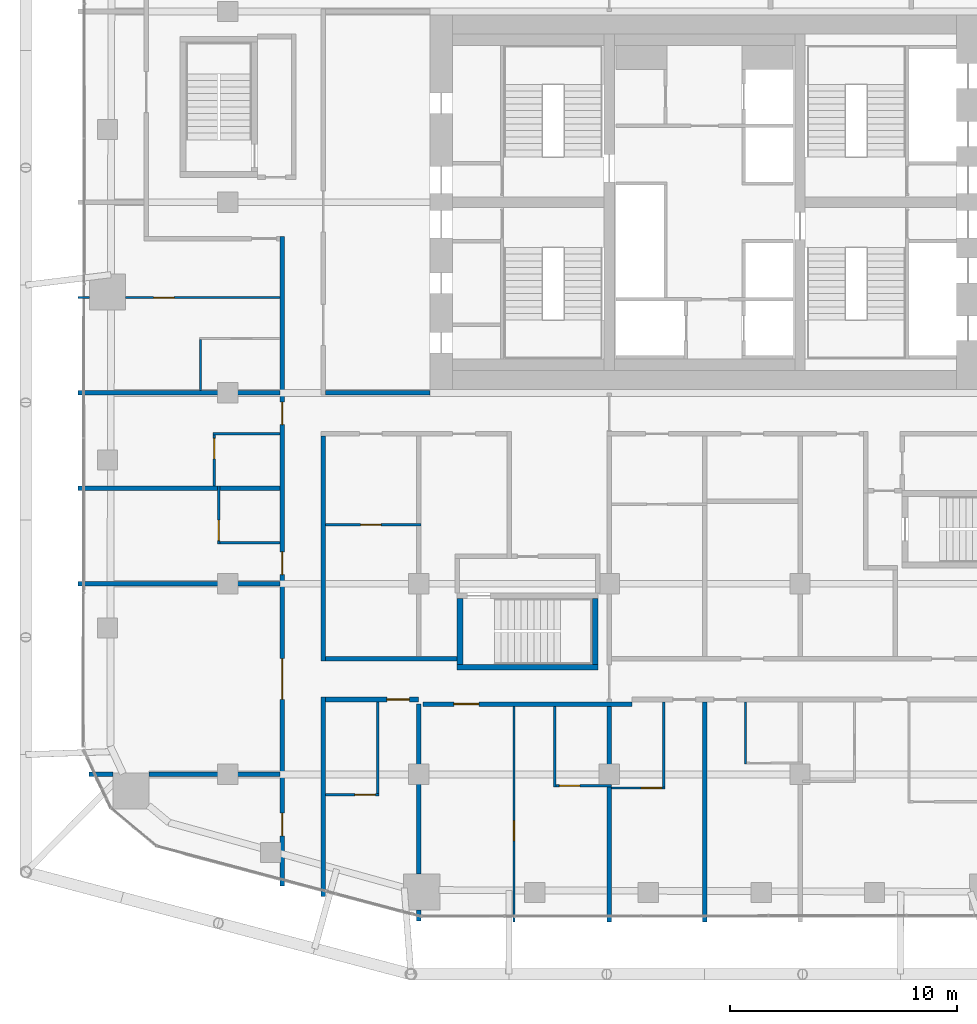
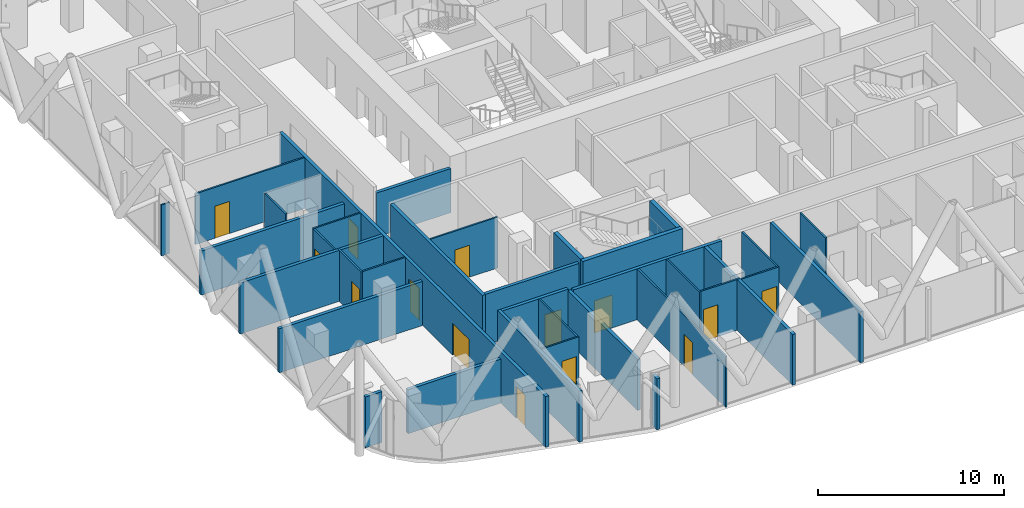
# One storey, part 27 of 36: 35 walls, 14 doors, 14 openings.
"""IFC4 building model written with IfcOpenShell, lengths in metres."""

from ifc_helpers import new_model, si_unit, direction, frame, frame_2d, origin, place, context, subcontext, project, spatial, rectangle, extrude, material, layer, layer_set, type_object, element, fill, save


model = new_model("IFC4")

# Units and contexts
model_context = context("Model", 3, precision=1e-05, world=origin(), true_north=direction((0.0, 1.0)))
body_context = subcontext(model_context, "Body", "Model", "MODEL_VIEW")
ifc_project = project(units=[si_unit("LENGTHUNIT", "METRE"), si_unit("AREAUNIT", "SQUARE_METRE"), si_unit("VOLUMEUNIT", "CUBIC_METRE"), si_unit("PLANEANGLEUNIT", "RADIAN"), si_unit("MASSUNIT", "GRAM", prefix="KILO")], contexts=[model_context])

# Site, building, storey
site_placement = place(None, origin())
site = spatial("IfcSite", under=ifc_project, at=site_placement, CompositionType="ELEMENT")
building_placement = place(site_placement, origin())
building = spatial("IfcBuilding", under=site, at=building_placement, Name="Marenta Gate Hotel Tower", CompositionType="ELEMENT")
storey_placement = place(building_placement, frame((0.0, 0.0, 158.89990234375)))
storey = spatial("IfcBuildingStorey", under=building, at=storey_placement, Name="L37", CompositionType="ELEMENT", Elevation=158.89990234375)

# Walls
ifc_material_1 = material(Name="Concrete blockwork", Category="masonry")
ifc_layer_1 = layer(ifc_material_1, 0.199951171875)
ifc_layer_set_1 = layer_set([ifc_layer_1], Name="Concrete blockwork")
wall_type_1 = type_object("IfcWallType", Name="Compartment wall 200 REI 180", PredefinedType="PARTITIONING", material=ifc_layer_set_1)
wall_1_placement = place(storey_placement, frame((-4.199951171875, -23.300048828125, 0.0), z_axis=(0.0, 0.0, 1.0), x_axis=(0.0, 1.0, 0.0)))
element("IfcWall", 1, at=wall_1_placement, inside=storey, type_object=wall_type_1, Name="L37-PTN-W072", PredefinedType="PARTITIONING", context=body_context, shape_type="SweptSolid", body=[
    extrude(rectangle(XDim=9.5, YDim=0.199951171875, at=frame_2d((4.75, 0.0))), origin(), (0.0, 0.0, 1.0), 3.340087890625),
])
ifc_material_2 = material(Name="Concrete blockwork", Category="masonry")
ifc_layer_2 = layer(ifc_material_2, 0.199951171875)
ifc_layer_set_2 = layer_set([ifc_layer_2], Name="Concrete blockwork")
wall_type_2 = type_object("IfcWallType", Name="Core boundary wall 200 REI 180", PredefinedType="PARTITIONING", material=ifc_layer_set_2)
wall_2_placement = place(storey_placement, frame((-16.699951171875, 0.0, 0.0), z_axis=(0.0, 0.0, 1.0), x_axis=(1.0, 0.0, 0.0)))
element("IfcWall", 2, at=wall_2_placement, inside=storey, type_object=wall_type_2, Name="L37-CP-EW-WS", PredefinedType="PARTITIONING", context=body_context, shape_type="SweptSolid", body=[
    extrude(rectangle(XDim=4.599853515625, YDim=0.199951171875, at=frame_2d((2.2998046875, 0.0))), origin(), (0.0, 0.0, 1.0), 2.89013671875),
])
ifc_material_3 = material(Name="Concrete C40", Category="concrete")
ifc_layer_3 = layer(ifc_material_3, 0.25)
ifc_layer_set_3 = layer_set([ifc_layer_3], Name="Concrete C40")
wall_type_3 = type_object("IfcWallType", Name="Remote stair enclosure wall 250 REI 180", PredefinedType="SHEAR", material=ifc_layer_set_3)
wall_3_placement = place(storey_placement, frame((-10.89990234375, -12.074951171875, 0.10009765625), z_axis=(0.0, 0.0, 1.0), x_axis=(1.0, 0.0, 0.0)))
element("IfcWall", 3, at=wall_3_placement, inside=storey, type_object=wall_type_3, Name="L37-RS-Z2-1-W1", PredefinedType="SHEAR", context=body_context, shape_type="SweptSolid", body=[
    extrude(rectangle(XDim=6.199951171875, YDim=0.25, at=frame_2d((3.10009765625, 0.0))), origin(), (0.0, 0.0, 1.0), 3.60009765625),
])
for number, where, z_axis, x_axis, name in (
    (4, (-10.77490234375, -11.949951171875, 0.10009765625), (0.0, 0.0, 1.0), (0.0, 1.0, 0.0), "L37-RS-Z2-1-W3"),
    (5, (-4.824951171875, -11.949951171875, 0.10009765625), (0.0, 0.0, 1.0), (0.0, 1.0, 0.0), "L37-RS-Z2-1-W4"),
):
    element("IfcWall", number, at=place(storey_placement, frame(where, z_axis=z_axis, x_axis=x_axis)), inside=storey, type_object=wall_type_3, Name=name, PredefinedType="SHEAR", context=body_context, shape_type="SweptSolid", body=[
        extrude(rectangle(XDim=2.89990234375, YDim=0.25, at=frame_2d((1.449951171875, 0.0))), origin(), (0.0, 0.0, 1.0), 3.60009765625),
    ])

# Wall, opening, door
ifc_material_4 = material(Name="Gypsum board on steel stud", Category="steel")
ifc_layer_4 = layer(ifc_material_4, 0.199951171875)
ifc_layer_set_4 = layer_set([ifc_layer_4], Name="Gypsum board on steel stud")
wall_type_4 = type_object("IfcWallType", Name="Room corridor wall 200 EI 60", PredefinedType="PARTITIONING", material=ifc_layer_set_4)
wall_4_placement = place(storey_placement, frame((-12.39990234375, -13.699951171875, 0.0), z_axis=(0.0, 0.0, 1.0), x_axis=(1.0, 0.0, 0.0)))
wall_4 = element("IfcWall", 6, at=wall_4_placement, inside=storey, type_object=wall_type_4, Name="L37-PTN-W025", PredefinedType="PARTITIONING", context=body_context, shape_type="SweptSolid", body=[
    extrude(rectangle(XDim=9.199951171875, YDim=0.199951171875, at=frame_2d((4.60009765625, 0.0))), origin(), (0.0, 0.0, 1.0), 3.340087890625),
])
opening_1_placement = place(wall_4_placement, frame((1.35009765625, 0.0, 0.0)))
opening_1 = element("IfcOpeningElement", 7, at=opening_1_placement, cuts=wall_4, Name="Opening G14-32", PredefinedType="OPENING", context=body_context, shape_type="SweptSolid", body=[
    extrude(rectangle(XDim=1.10009765625, YDim=2.10009765625, at=frame_2d((0.550048828125, 1.050048828125))), frame((0.0, 0.10009765625, 0.0), z_axis=(0.0, -1.0, 0.0), x_axis=(1.0, 0.0, 0.0)), (0.0, 0.0, 1.0), 0.199951171875),
])
ifc_material_5 = material(Name="Timber door leaf", Category="wood")
door_type_1 = type_object("IfcDoorType", Name="Guest room door 1100x2100 EI 30", OperationType="NOTDEFINED", PredefinedType="DOOR", material=ifc_material_5)
door_1_placement = place(opening_1_placement, origin())
door_1 = element("IfcDoor", 8, at=door_1_placement, inside=storey, type_object=door_type_1, Name="L37-PD-D032", OperationType="SINGLE_SWING_RIGHT", OverallHeight=2.10009765625, OverallWidth=1.10009765625, PredefinedType="DOOR", context=body_context, shape_type="SweptSolid", body=[
    extrude(rectangle(XDim=1.10009765625, YDim=2.10009765625, at=frame_2d((0.550048828125, 1.050048828125))), frame((0.0, 0.02490234375, 0.0), z_axis=(0.0, -1.0, 0.0), x_axis=(1.0, 0.0, 0.0)), (0.0, 0.0, 1.0), 0.050048828125),
])
fill(opening_1, door_1)

wall_5_placement = place(storey_placement, frame((-16.699951171875, -13.5, 0.0), z_axis=(0.0, 0.0, 1.0), x_axis=(1.0, 0.0, 0.0)))
wall_5 = element("IfcWall", 9, at=wall_5_placement, inside=storey, type_object=wall_type_4, Name="L37-PTN-W026", PredefinedType="PARTITIONING", context=body_context, shape_type="SweptSolid", body=[
    extrude(rectangle(XDim=4.099853515625, YDim=0.199951171875, at=frame_2d((2.0498046875, 0.0))), origin(), (0.0, 0.0, 1.0), 3.340087890625),
])
opening_2_placement = place(wall_5_placement, frame((2.699951171875, 0.0, 0.0)))
opening_2 = element("IfcOpeningElement", 10, at=opening_2_placement, cuts=wall_5, Name="Opening G14-30", PredefinedType="OPENING", context=body_context, shape_type="SweptSolid", body=[
    extrude(rectangle(XDim=1.0, YDim=2.10009765625, at=frame_2d((0.5, 1.050048828125))), frame((0.0, 0.10009765625, 0.0), z_axis=(0.0, -1.0, 0.0), x_axis=(1.0, 0.0, 0.0)), (0.0, 0.0, 1.0), 0.199951171875),
])
ifc_material_6 = material(Name="Timber door leaf", Category="wood")
door_type_2 = type_object("IfcDoorType", Name="Guest room door 1000x2100 EI 30", OperationType="NOTDEFINED", PredefinedType="DOOR", material=ifc_material_6)
door_2_placement = place(opening_2_placement, origin())
door_2 = element("IfcDoor", 11, at=door_2_placement, inside=storey, type_object=door_type_2, Name="L37-PD-D030", OperationType="SINGLE_SWING_RIGHT", OverallHeight=2.10009765625, OverallWidth=1.0, PredefinedType="DOOR", context=body_context, shape_type="SweptSolid", body=[
    extrude(rectangle(XDim=1.0, YDim=2.10009765625, at=frame_2d((0.5, 1.050048828125))), frame((0.0, 0.02490234375, 0.0), z_axis=(0.0, -1.0, 0.0), x_axis=(1.0, 0.0, 0.0)), (0.0, 0.0, 1.0), 0.050048828125),
])
fill(opening_2, door_2)

# Walls
wall_6_placement = place(storey_placement, frame((-16.699951171875, -11.699951171875, 0.0), z_axis=(0.0, 0.0, 1.0), x_axis=(1.0, 0.0, 0.0)))
element("IfcWall", 12, at=wall_6_placement, inside=storey, type_object=wall_type_4, Name="L37-PTN-W033", PredefinedType="PARTITIONING", context=body_context, shape_type="SweptSolid", body=[
    extrude(rectangle(XDim=5.800048828125, YDim=0.199951171875, at=frame_2d((2.89990234375, 0.0))), origin(), (0.0, 0.0, 1.0), 3.340087890625),
])
wall_7_placement = place(storey_placement, frame((-16.800048828125, -22.18603515625, 0.0), z_axis=(0.0, 0.0, 1.0), x_axis=(0.0, 1.0, 0.0)))
element("IfcWall", 13, at=wall_7_placement, inside=storey, type_object=wall_type_4, Name="L37-PTN-W096", PredefinedType="PARTITIONING", context=body_context, shape_type="SweptSolid", body=[
    extrude(rectangle(XDim=8.7861328125, YDim=0.199951171875, at=frame_2d((4.39306640625, 0.0))), origin(), (0.0, 0.0, 1.0), 3.340087890625),
])
wall_8_placement = place(storey_placement, frame((-16.800048828125, -11.800048828125, 0.0), z_axis=(0.0, 0.0, 1.0), x_axis=(0.0, 1.0, 0.0)))
element("IfcWall", 14, at=wall_8_placement, inside=storey, type_object=wall_type_4, Name="L37-PTN-W097", PredefinedType="PARTITIONING", context=body_context, shape_type="SweptSolid", body=[
    extrude(rectangle(XDim=9.900146484375, YDim=0.199951171875, at=frame_2d((4.9501953125, 0.0))), origin(), (0.0, 0.0, 1.0), 3.340087890625),
])

# Wall, openings, doors
wall_9_placement = place(storey_placement, frame((-18.60009765625, -21.7080078125, 0.0), z_axis=(0.0, 0.0, 1.0), x_axis=(0.0, 1.0, 0.0)))
wall_9 = element("IfcWall", 15, at=wall_9_placement, inside=storey, type_object=wall_type_4, Name="L37-PTN-W103", PredefinedType="PARTITIONING", context=body_context, shape_type="SweptSolid", body=[
    extrude(rectangle(XDim=28.60791015625, YDim=0.199951171875, at=frame_2d((14.303955078125, 0.0))), origin(), (0.0, 0.0, 1.0), 3.340087890625),
])
opening_3_placement = place(wall_9_placement, frame((2.2041015625, 0.0, 0.0)))
opening_3 = element("IfcOpeningElement", 16, at=opening_3_placement, cuts=wall_9, Name="Opening G14-44", PredefinedType="OPENING", context=body_context, shape_type="SweptSolid", body=[
    extrude(rectangle(XDim=1.0, YDim=2.10009765625, at=frame_2d((0.5, 1.050048828125))), frame((0.0, 0.10009765625, 0.0), z_axis=(0.0, -1.0, 0.0), x_axis=(1.0, 0.0, 0.0)), (0.0, 0.0, 1.0), 0.199951171875),
])
opening_4_placement = place(wall_9_placement, frame((8.2080078125, 0.0, 0.0)))
opening_4 = element("IfcOpeningElement", 17, at=opening_4_placement, cuts=wall_9, Name="Opening G14-45", PredefinedType="OPENING", context=body_context, shape_type="SweptSolid", body=[
    extrude(rectangle(XDim=1.800048828125, YDim=2.10009765625, at=frame_2d((0.89990234375, 1.050048828125))), frame((0.0, 0.10009765625, 0.0), z_axis=(0.0, -1.0, 0.0), x_axis=(1.0, 0.0, 0.0)), (0.0, 0.0, 1.0), 0.199951171875),
])
opening_5_placement = place(wall_9_placement, frame((13.7080078125, 0.0, 0.0)))
opening_5 = element("IfcOpeningElement", 18, at=opening_5_placement, cuts=wall_9, Name="Opening G14-46", PredefinedType="OPENING", context=body_context, shape_type="SweptSolid", body=[
    extrude(rectangle(XDim=1.0, YDim=2.10009765625, at=frame_2d((0.5, 1.050048828125))), frame((0.0, 0.10009765625, 0.0), z_axis=(0.0, -1.0, 0.0), x_axis=(1.0, 0.0, 0.0)), (0.0, 0.0, 1.0), 0.199951171875),
])
opening_6_placement = place(wall_9_placement, frame((20.30810546875, 0.0, 0.0)))
opening_6 = element("IfcOpeningElement", 19, at=opening_6_placement, cuts=wall_9, Name="Opening G14-48", PredefinedType="OPENING", context=body_context, shape_type="SweptSolid", body=[
    extrude(rectangle(XDim=1.0, YDim=2.10009765625, at=frame_2d((0.5, 1.050048828125))), frame((0.0, 0.10009765625, 0.0), z_axis=(0.0, -1.0, 0.0), x_axis=(1.0, 0.0, 0.0)), (0.0, 0.0, 1.0), 0.199951171875),
])
door_3_placement = place(opening_5_placement, origin())
door_3 = element("IfcDoor", 20, at=door_3_placement, inside=storey, type_object=door_type_2, Name="L37-PD-D046", OperationType="SINGLE_SWING_LEFT", OverallHeight=2.10009765625, OverallWidth=1.0, PredefinedType="DOOR", context=body_context, shape_type="SweptSolid", body=[
    extrude(rectangle(XDim=1.0, YDim=2.10009765625, at=frame_2d((0.5, 1.050048828125))), frame((0.0, 0.02490234375, 0.0), z_axis=(0.0, -1.0, 0.0), x_axis=(1.0, 0.0, 0.0)), (0.0, 0.0, 1.0), 0.050048828125),
])
fill(opening_5, door_3)
door_4_placement = place(opening_6_placement, origin())
door_4 = element("IfcDoor", 21, at=door_4_placement, inside=storey, type_object=door_type_2, Name="L37-PD-D048", OperationType="SINGLE_SWING_LEFT", OverallHeight=2.10009765625, OverallWidth=1.0, PredefinedType="DOOR", context=body_context, shape_type="SweptSolid", body=[
    extrude(rectangle(XDim=1.0, YDim=2.10009765625, at=frame_2d((0.5, 1.050048828125))), frame((0.0, 0.02490234375, 0.0), z_axis=(0.0, -1.0, 0.0), x_axis=(1.0, 0.0, 0.0)), (0.0, 0.0, 1.0), 0.050048828125),
])
fill(opening_6, door_4)
ifc_material_7 = material(Name="Timber door leaf", Category="wood")
door_type_3 = type_object("IfcDoorType", Name="Room amenity door 1000x2100 EI 30", OperationType="NOTDEFINED", PredefinedType="DOOR", material=ifc_material_7)
door_5_placement = place(opening_3_placement, origin())
door_5 = element("IfcDoor", 22, at=door_5_placement, inside=storey, type_object=door_type_3, Name="L37-PD-D044", OperationType="SINGLE_SWING_RIGHT", OverallHeight=2.10009765625, OverallWidth=1.0, PredefinedType="DOOR", context=body_context, shape_type="SweptSolid", body=[
    extrude(rectangle(XDim=1.0, YDim=2.10009765625, at=frame_2d((0.5, 1.050048828125))), frame((0.0, 0.02490234375, 0.0), z_axis=(0.0, -1.0, 0.0), x_axis=(1.0, 0.0, 0.0)), (0.0, 0.0, 1.0), 0.050048828125),
])
fill(opening_3, door_5)
ifc_material_8 = material(Name="Timber door leaf", Category="wood")
door_type_4 = type_object("IfcDoorType", Name="Room amenity door 1800x2100 EI 30", OperationType="DOUBLE_DOOR_SINGLE_SWING", PredefinedType="DOOR", material=ifc_material_8)
door_6_placement = place(opening_4_placement, origin())
door_6 = element("IfcDoor", 23, at=door_6_placement, inside=storey, type_object=door_type_4, Name="L37-PD-D045", OperationType="DOUBLE_DOOR_SINGLE_SWING", OverallHeight=2.10009765625, OverallWidth=1.800048828125, PredefinedType="DOOR", context=body_context, shape_type="SweptSolid", body=[
    extrude(rectangle(XDim=1.800048828125, YDim=2.10009765625, at=frame_2d((0.89990234375, 1.050048828125))), frame((0.0, 0.02490234375, 0.0), z_axis=(0.0, -1.0, 0.0), x_axis=(1.0, 0.0, 0.0)), (0.0, 0.0, 1.0), 0.050048828125),
])
fill(opening_4, door_6)

# Wall, opening, door
ifc_material_9 = material(Name="Gypsum board on steel stud", Category="steel")
ifc_layer_5 = layer(ifc_material_9, 0.10009765625)
ifc_layer_set_5 = layer_set([ifc_layer_5], Name="Gypsum board on steel stud")
wall_type_5 = type_object("IfcWallType", Name="Room partition 100", PredefinedType="PARTITIONING", material=ifc_layer_set_5)
wall_10_placement = place(storey_placement, frame((-16.699951171875, -17.699951171875, 0.0), z_axis=(0.0, 0.0, 1.0), x_axis=(1.0, 0.0, 0.0)))
wall_10 = element("IfcWall", 24, at=wall_10_placement, inside=storey, type_object=wall_type_5, Name="L37-PTN-W012", PredefinedType="PARTITIONING", context=body_context, shape_type="SweptSolid", body=[
    extrude(rectangle(XDim=2.349853515625, YDim=0.10009765625, at=frame_2d((1.1748046875, 0.0))), origin(), (0.0, 0.0, 1.0), 3.340087890625),
])
opening_7_placement = place(wall_10_placement, frame((1.300048828125, 0.0, 0.0)))
opening_7 = element("IfcOpeningElement", 25, at=opening_7_placement, cuts=wall_10, Name="Opening G14-31", PredefinedType="OPENING", context=body_context, shape_type="SweptSolid", body=[
    extrude(rectangle(XDim=0.89990234375, YDim=2.10009765625, at=frame_2d((0.449951171875, 1.050048828125))), frame((0.0, 0.050048828125, 0.0), z_axis=(0.0, -1.0, 0.0), x_axis=(1.0, 0.0, 0.0)), (0.0, 0.0, 1.0), 0.10009765625),
])
ifc_material_10 = material(Name="Timber door leaf", Category="wood")
door_type_5 = type_object("IfcDoorType", Name="Guest bathroom door 900x2100", OperationType="NOTDEFINED", PredefinedType="DOOR", material=ifc_material_10)
door_7_placement = place(opening_7_placement, origin())
door_7 = element("IfcDoor", 26, at=door_7_placement, inside=storey, type_object=door_type_5, Name="L37-PD-D031", OperationType="SINGLE_SWING_RIGHT", OverallHeight=2.10009765625, OverallWidth=0.89990234375, PredefinedType="DOOR", context=body_context, shape_type="SweptSolid", body=[
    extrude(rectangle(XDim=0.89990234375, YDim=2.10009765625, at=frame_2d((0.449951171875, 1.050048828125))), frame((0.0, 0.02490234375, 0.0), z_axis=(0.0, -1.0, 0.0), x_axis=(1.0, 0.0, 0.0)), (0.0, 0.0, 1.0), 0.050048828125),
])
fill(opening_7, door_7)

wall_11_placement = place(storey_placement, frame((-4.10009765625, -17.39990234375, 0.0), z_axis=(0.0, 0.0, 1.0), x_axis=(1.0, 0.0, 0.0)))
wall_11 = element("IfcWall", 27, at=wall_11_placement, inside=storey, type_object=wall_type_5, Name="L37-PTN-W013", PredefinedType="PARTITIONING", context=body_context, shape_type="SweptSolid", body=[
    extrude(rectangle(XDim=2.35009765625, YDim=0.10009765625, at=frame_2d((1.175048828125, 0.0))), origin(), (0.0, 0.0, 1.0), 3.340087890625),
])
opening_8_placement = place(wall_11_placement, frame((1.300048828125, 0.0, 0.0)))
opening_8 = element("IfcOpeningElement", 28, at=opening_8_placement, cuts=wall_11, Name="Opening G14-36", PredefinedType="OPENING", context=body_context, shape_type="SweptSolid", body=[
    extrude(rectangle(XDim=0.89990234375, YDim=2.10009765625, at=frame_2d((0.449951171875, 1.050048828125))), frame((0.0, 0.050048828125, 0.0), z_axis=(0.0, -1.0, 0.0), x_axis=(1.0, 0.0, 0.0)), (0.0, 0.0, 1.0), 0.10009765625),
])
door_8_placement = place(opening_8_placement, origin())
door_8 = element("IfcDoor", 29, at=door_8_placement, inside=storey, type_object=door_type_5, Name="L37-PD-D036", OperationType="SINGLE_SWING_RIGHT", OverallHeight=2.10009765625, OverallWidth=0.89990234375, PredefinedType="DOOR", context=body_context, shape_type="SweptSolid", body=[
    extrude(rectangle(XDim=0.89990234375, YDim=2.10009765625, at=frame_2d((0.449951171875, 1.050048828125))), frame((0.0, 0.02490234375, 0.0), z_axis=(0.0, -1.0, 0.0), x_axis=(1.0, 0.0, 0.0)), (0.0, 0.0, 1.0), 0.050048828125),
])
fill(opening_8, door_8)

wall_12_placement = place(storey_placement, frame((-6.550048828125, -17.300048828125, 0.0), z_axis=(0.0, 0.0, 1.0), x_axis=(1.0, 0.0, 0.0)))
wall_12 = element("IfcWall", 30, at=wall_12_placement, inside=storey, type_object=wall_type_5, Name="L37-PTN-W014", PredefinedType="PARTITIONING", context=body_context, shape_type="SweptSolid", body=[
    extrude(rectangle(XDim=2.449951171875, YDim=0.10009765625, at=frame_2d((1.22509765625, 0.0))), origin(), (0.0, 0.0, 1.0), 3.340087890625),
])
opening_9_placement = place(wall_12_placement, frame((0.14990234375, 0.0, 0.0)))
opening_9 = element("IfcOpeningElement", 31, at=opening_9_placement, cuts=wall_12, Name="Opening G14-34", PredefinedType="OPENING", context=body_context, shape_type="SweptSolid", body=[
    extrude(rectangle(XDim=0.89990234375, YDim=2.10009765625, at=frame_2d((0.449951171875, 1.050048828125))), frame((0.0, 0.050048828125, 0.0), z_axis=(0.0, -1.0, 0.0), x_axis=(1.0, 0.0, 0.0)), (0.0, 0.0, 1.0), 0.10009765625),
])
door_9_placement = place(opening_9_placement, origin())
door_9 = element("IfcDoor", 32, at=door_9_placement, inside=storey, type_object=door_type_5, Name="L37-PD-D034", OperationType="SINGLE_SWING_LEFT", OverallHeight=2.10009765625, OverallWidth=0.89990234375, PredefinedType="DOOR", context=body_context, shape_type="SweptSolid", body=[
    extrude(rectangle(XDim=0.89990234375, YDim=2.10009765625, at=frame_2d((0.449951171875, 1.050048828125))), frame((0.0, 0.02490234375, 0.0), z_axis=(0.0, -1.0, 0.0), x_axis=(1.0, 0.0, 0.0)), (0.0, 0.0, 1.0), 0.050048828125),
])
fill(opening_9, door_9)

# Wall
wall_13_placement = place(storey_placement, frame((-21.35009765625, -6.60009765625, 0.0), z_axis=(0.0, 0.0, 1.0), x_axis=(1.0, 0.0, 0.0)))
element("IfcWall", 33, at=wall_13_placement, inside=storey, type_object=wall_type_5, Name="L37-PTN-W049", PredefinedType="PARTITIONING", context=body_context, shape_type="SweptSolid", body=[
    extrude(rectangle(XDim=2.650146484375, YDim=0.10009765625, at=frame_2d((1.3251953125, 0.0))), origin(), (0.0, 0.0, 1.0), 3.340087890625),
])

# Wall, opening, door
wall_14_placement = place(storey_placement, frame((-16.699951171875, -5.800048828125, 0.0), z_axis=(0.0, 0.0, 1.0), x_axis=(1.0, 0.0, 0.0)))
wall_14 = element("IfcWall", 34, at=wall_14_placement, inside=storey, type_object=wall_type_5, Name="L37-PTN-W050", PredefinedType="PARTITIONING", context=body_context, shape_type="SweptSolid", body=[
    extrude(rectangle(XDim=4.199951171875, YDim=0.10009765625, at=frame_2d((2.10009765625, 0.0))), origin(), (0.0, 0.0, 1.0), 3.340087890625),
])
opening_10_placement = place(wall_14_placement, frame((1.550048828125, 0.0, 0.0)))
opening_10 = element("IfcOpeningElement", 35, at=opening_10_placement, cuts=wall_14, Name="Opening G14-02", PredefinedType="OPENING", context=body_context, shape_type="SweptSolid", body=[
    extrude(rectangle(XDim=0.89990234375, YDim=2.10009765625, at=frame_2d((0.449951171875, 1.050048828125))), frame((0.0, 0.050048828125, 0.0), z_axis=(0.0, -1.0, 0.0), x_axis=(1.0, 0.0, 0.0)), (0.0, 0.0, 1.0), 0.10009765625),
])
ifc_material_11 = material(Name="Timber door leaf", Category="wood")
door_type_6 = type_object("IfcDoorType", Name="Room inner door 900x2100", OperationType="NOTDEFINED", PredefinedType="DOOR", material=ifc_material_11)
door_10_placement = place(opening_10_placement, origin())
door_10 = element("IfcDoor", 36, at=door_10_placement, inside=storey, type_object=door_type_6, Name="L37-PD-D002", OperationType="SINGLE_SWING_RIGHT", OverallHeight=2.10009765625, OverallWidth=0.89990234375, PredefinedType="DOOR", context=body_context, shape_type="SweptSolid", body=[
    extrude(rectangle(XDim=0.89990234375, YDim=2.10009765625, at=frame_2d((0.449951171875, 1.050048828125))), frame((0.0, 0.02490234375, 0.0), z_axis=(0.0, -1.0, 0.0), x_axis=(1.0, 0.0, 0.0)), (0.0, 0.0, 1.0), 0.050048828125),
])
fill(opening_10, door_10)

# Walls
wall_15_placement = place(storey_placement, frame((1.800048828125, -16.35009765625, 0.0), z_axis=(0.0, 0.0, 1.0), x_axis=(0.0, 1.0, 0.0)))
element("IfcWall", 37, at=wall_15_placement, inside=storey, type_object=wall_type_5, Name="L37-PTN-W059", PredefinedType="PARTITIONING", context=body_context, shape_type="SweptSolid", body=[
    extrude(rectangle(XDim=2.75, YDim=0.10009765625, at=frame_2d((1.375, 0.0))), origin(), (0.0, 0.0, 1.0), 3.340087890625),
])
wall_16_placement = place(storey_placement, frame((-21.64990234375, -1.800048828125, 0.0), z_axis=(0.0, 0.0, 1.0), x_axis=(1.0, 0.0, 0.0)))
element("IfcWall", 38, at=wall_16_placement, inside=storey, type_object=wall_type_5, Name="L37-PTN-W060", PredefinedType="PARTITIONING", context=body_context, shape_type="SweptSolid", body=[
    extrude(rectangle(XDim=2.949951171875, YDim=0.10009765625, at=frame_2d((1.47509765625, 0.0))), origin(), (0.0, 0.0, 1.0), 3.340087890625),
])
wall_17_placement = place(storey_placement, frame((-1.800048828125, -17.35009765625, 0.0), z_axis=(0.0, 0.0, 1.0), x_axis=(0.0, 1.0, 0.0)))
element("IfcWall", 39, at=wall_17_placement, inside=storey, type_object=wall_type_5, Name="L37-PTN-W069", PredefinedType="PARTITIONING", context=body_context, shape_type="SweptSolid", body=[
    extrude(rectangle(XDim=3.75, YDim=0.10009765625, at=frame_2d((1.875, 0.0))), origin(), (0.0, 0.0, 1.0), 3.340087890625),
])
wall_18_placement = place(storey_placement, frame((-27.60009765625, 4.199951171875, 0.0), z_axis=(0.0, 0.0, 1.0), x_axis=(1.0, 0.0, 0.0)))
element("IfcWall", 40, at=wall_18_placement, inside=storey, type_object=wall_type_5, Name="L37-PTN-W075", PredefinedType="PARTITIONING", context=body_context, shape_type="SweptSolid", body=[
    extrude(rectangle(XDim=0.5, YDim=0.10009765625, at=frame_2d((0.25, 0.0))), origin(), (0.0, 0.0, 1.0), 3.340087890625),
])

# Wall, opening, door
wall_19_placement = place(storey_placement, frame((-25.5, 4.199951171875, 0.0), z_axis=(0.0, 0.0, 1.0), x_axis=(1.0, 0.0, 0.0)))
wall_19 = element("IfcWall", 41, at=wall_19_placement, inside=storey, type_object=wall_type_5, Name="L37-PTN-W121", PredefinedType="PARTITIONING", context=body_context, shape_type="SweptSolid", body=[
    extrude(rectangle(XDim=6.800048828125, YDim=0.10009765625, at=frame_2d((3.39990234375, 0.0))), origin(), (0.0, 0.0, 1.0), 3.340087890625),
])
opening_11_placement = place(wall_19_placement, frame((1.22998046875, 0.0, 0.0)))
opening_11 = element("IfcOpeningElement", 42, at=opening_11_placement, cuts=wall_19, Name="Opening G14-51", PredefinedType="OPENING", context=body_context, shape_type="SweptSolid", body=[
    extrude(rectangle(XDim=0.89990234375, YDim=2.10009765625, at=frame_2d((0.449951171875, 1.050048828125))), frame((0.0, 0.050048828125, 0.0), z_axis=(0.0, -1.0, 0.0), x_axis=(1.0, 0.0, 0.0)), (0.0, 0.0, 1.0), 0.10009765625),
])
door_11_placement = place(opening_11_placement, origin())
door_11 = element("IfcDoor", 43, at=door_11_placement, inside=storey, type_object=door_type_6, Name="L37-PD-D051", OperationType="SINGLE_SWING_RIGHT", OverallHeight=2.10009765625, OverallWidth=0.89990234375, PredefinedType="DOOR", context=body_context, shape_type="SweptSolid", body=[
    extrude(rectangle(XDim=0.89990234375, YDim=2.10009765625, at=frame_2d((0.449951171875, 1.050048828125))), frame((0.0, 0.02490234375, 0.0), z_axis=(0.0, -1.0, 0.0), x_axis=(1.0, 0.0, 0.0)), (0.0, 0.0, 1.0), 0.050048828125),
])
fill(opening_11, door_11)

# Wall
wall_20_placement = place(storey_placement, frame((-6.60009765625, -17.35009765625, 0.0), z_axis=(0.0, 0.0, 1.0), x_axis=(0.0, 1.0, 0.0)))
element("IfcWall", 44, at=wall_20_placement, inside=storey, type_object=wall_type_5, Name="L37-PTN-W078", PredefinedType="PARTITIONING", context=body_context, shape_type="SweptSolid", body=[
    extrude(rectangle(XDim=3.550048828125, YDim=0.10009765625, at=frame_2d((1.77490234375, 0.0))), origin(), (0.0, 0.0, 1.0), 3.340087890625),
])

# Wall, opening, door
wall_21_placement = place(storey_placement, frame((-8.39990234375, -23.300048828125, 0.0), z_axis=(0.0, 0.0, 1.0), x_axis=(0.0, 1.0, 0.0)))
wall_21 = element("IfcWall", 45, at=wall_21_placement, inside=storey, type_object=wall_type_5, Name="L37-PTN-W080", PredefinedType="PARTITIONING", context=body_context, shape_type="SweptSolid", body=[
    extrude(rectangle(XDim=9.5, YDim=0.10009765625, at=frame_2d((4.75, 0.0))), origin(), (0.0, 0.0, 1.0), 3.340087890625),
])
opening_12_placement = place(wall_21_placement, frame((3.570068359375, 0.0, 0.0)))
opening_12 = element("IfcOpeningElement", 46, at=opening_12_placement, cuts=wall_21, Name="Opening G14-33", PredefinedType="OPENING", context=body_context, shape_type="SweptSolid", body=[
    extrude(rectangle(XDim=0.89990234375, YDim=2.10009765625, at=frame_2d((0.449951171875, 1.050048828125))), frame((0.0, 0.050048828125, 0.0), z_axis=(0.0, -1.0, 0.0), x_axis=(1.0, 0.0, 0.0)), (0.0, 0.0, 1.0), 0.10009765625),
])
door_12_placement = place(opening_12_placement, origin())
door_12 = element("IfcDoor", 47, at=door_12_placement, inside=storey, type_object=door_type_6, Name="L37-PD-D033", OperationType="SINGLE_SWING_RIGHT", OverallHeight=2.10009765625, OverallWidth=0.89990234375, PredefinedType="DOOR", context=body_context, shape_type="SweptSolid", body=[
    extrude(rectangle(XDim=0.89990234375, YDim=2.10009765625, at=frame_2d((0.449951171875, 1.050048828125))), frame((0.0, 0.02490234375, 0.0), z_axis=(0.0, -1.0, 0.0), x_axis=(1.0, 0.0, 0.0)), (0.0, 0.0, 1.0), 0.050048828125),
])
fill(opening_12, door_12)

# Wall
wall_22_placement = place(storey_placement, frame((-14.39990234375, -17.64990234375, 0.0), z_axis=(0.0, 0.0, 1.0), x_axis=(0.0, 1.0, 0.0)))
element("IfcWall", 48, at=wall_22_placement, inside=storey, type_object=wall_type_5, Name="L37-PTN-W092", PredefinedType="PARTITIONING", context=body_context, shape_type="SweptSolid", body=[
    extrude(rectangle(XDim=4.0498046875, YDim=0.10009765625, at=frame_2d((2.02490234375, 0.0))), origin(), (0.0, 0.0, 1.0), 3.340087890625),
])

# Wall, opening, door
wall_23_placement = place(storey_placement, frame((-21.39990234375, -6.64990234375, 0.0), z_axis=(0.0, 0.0, 1.0), x_axis=(0.0, 1.0, 0.0)))
wall_23 = element("IfcWall", 49, at=wall_23_placement, inside=storey, type_object=wall_type_5, Name="L37-PTN-W108", PredefinedType="PARTITIONING", context=body_context, shape_type="SweptSolid", body=[
    extrude(rectangle(XDim=2.5498046875, YDim=0.10009765625, at=frame_2d((1.27490234375, 0.0))), origin(), (0.0, 0.0, 1.0), 3.340087890625),
])
opening_13_placement = place(wall_23_placement, frame((0.14990234375, 0.0, 0.0)))
opening_13 = element("IfcOpeningElement", 50, at=opening_13_placement, cuts=wall_23, Name="Opening G14-47", PredefinedType="OPENING", context=body_context, shape_type="SweptSolid", body=[
    extrude(rectangle(XDim=0.89990234375, YDim=2.10009765625, at=frame_2d((0.449951171875, 1.050048828125))), frame((0.0, 0.050048828125, 0.0), z_axis=(0.0, -1.0, 0.0), x_axis=(1.0, 0.0, 0.0)), (0.0, 0.0, 1.0), 0.10009765625),
])
door_13_placement = place(opening_13_placement, origin())
door_13 = element("IfcDoor", 51, at=door_13_placement, inside=storey, type_object=door_type_5, Name="L37-PD-D047", OperationType="SINGLE_SWING_RIGHT", OverallHeight=2.10009765625, OverallWidth=0.89990234375, PredefinedType="DOOR", context=body_context, shape_type="SweptSolid", body=[
    extrude(rectangle(XDim=0.89990234375, YDim=2.10009765625, at=frame_2d((0.449951171875, 1.050048828125))), frame((0.0, 0.02490234375, 0.0), z_axis=(0.0, -1.0, 0.0), x_axis=(1.0, 0.0, 0.0)), (0.0, 0.0, 1.0), 0.050048828125),
])
fill(opening_13, door_13)

wall_24_placement = place(storey_placement, frame((-21.60009765625, -4.10009765625, 0.0), z_axis=(0.0, 0.0, 1.0), x_axis=(0.0, 1.0, 0.0)))
wall_24 = element("IfcWall", 52, at=wall_24_placement, inside=storey, type_object=wall_type_5, Name="L37-PTN-W109", PredefinedType="PARTITIONING", context=body_context, shape_type="SweptSolid", body=[
    extrude(rectangle(XDim=2.25, YDim=0.10009765625, at=frame_2d((1.125, 0.0))), origin(), (0.0, 0.0, 1.0), 3.340087890625),
])
opening_14_placement = place(wall_24_placement, frame((1.199951171875, 0.0, 0.0)))
opening_14 = element("IfcOpeningElement", 53, at=opening_14_placement, cuts=wall_24, Name="Opening G14-49", PredefinedType="OPENING", context=body_context, shape_type="SweptSolid", body=[
    extrude(rectangle(XDim=0.89990234375, YDim=2.10009765625, at=frame_2d((0.449951171875, 1.050048828125))), frame((0.0, 0.050048828125, 0.0), z_axis=(0.0, -1.0, 0.0), x_axis=(1.0, 0.0, 0.0)), (0.0, 0.0, 1.0), 0.10009765625),
])
door_14_placement = place(opening_14_placement, origin())
door_14 = element("IfcDoor", 54, at=door_14_placement, inside=storey, type_object=door_type_5, Name="L37-PD-D049", OperationType="SINGLE_SWING_LEFT", OverallHeight=2.10009765625, OverallWidth=0.89990234375, PredefinedType="DOOR", context=body_context, shape_type="SweptSolid", body=[
    extrude(rectangle(XDim=0.89990234375, YDim=2.10009765625, at=frame_2d((0.449951171875, 1.050048828125))), frame((0.0, 0.02490234375, 0.0), z_axis=(0.0, -1.0, 0.0), x_axis=(1.0, 0.0, 0.0)), (0.0, 0.0, 1.0), 0.050048828125),
])
fill(opening_14, door_14)

# Walls
wall_25_placement = place(storey_placement, frame((-22.199951171875, 0.10009765625, 0.0), z_axis=(0.0, 0.0, 1.0), x_axis=(0.0, 1.0, 0.0)))
element("IfcWall", 55, at=wall_25_placement, inside=storey, type_object=wall_type_5, Name="L37-PTN-W112", PredefinedType="PARTITIONING", context=body_context, shape_type="SweptSolid", body=[
    extrude(rectangle(XDim=2.25, YDim=0.10009765625, at=frame_2d((1.125, 0.0))), origin(), (0.0, 0.0, 1.0), 3.340087890625),
])
ifc_material_12 = material(Name="Gypsum board on steel stud", Category="steel")
ifc_layer_6 = layer(ifc_material_12, 0.199951171875)
ifc_layer_set_6 = layer_set([ifc_layer_6], Name="Gypsum board on steel stud")
wall_type_6 = type_object("IfcWallType", Name="Room party wall 200 EI 60", PredefinedType="PARTITIONING", material=ifc_layer_set_6)
wall_26_placement = place(storey_placement, frame((-27.112060546875, -16.800048828125, 0.0), z_axis=(0.0, 0.0, 1.0), x_axis=(1.0, 0.0, 0.0)))
element("IfcWall", 56, at=wall_26_placement, inside=storey, type_object=wall_type_6, Name="L37-PTN-W019", PredefinedType="PARTITIONING", context=body_context, shape_type="SweptSolid", body=[
    extrude(rectangle(XDim=1.049072265625, YDim=0.199951171875, at=frame_2d((0.5244140625, 0.0))), origin(), (0.0, 0.0, 1.0), 3.340087890625),
])
wall_27_placement = place(storey_placement, frame((-24.462890625, -16.800048828125, 0.0), z_axis=(0.0, 0.0, 1.0), x_axis=(1.0, 0.0, 0.0)))
element("IfcWall", 57, at=wall_27_placement, inside=storey, type_object=wall_type_6, Name="L37-PTN-W118", PredefinedType="PARTITIONING", context=body_context, shape_type="SweptSolid", body=[
    extrude(rectangle(XDim=5.762939453125, YDim=0.199951171875, at=frame_2d((2.88134765625, 0.0))), origin(), (0.0, 0.0, 1.0), 2.89013671875),
])
wall_28_placement = place(storey_placement, frame((-27.60009765625, -8.39990234375, 0.0), z_axis=(0.0, 0.0, 1.0), x_axis=(1.0, 0.0, 0.0)))
element("IfcWall", 58, at=wall_28_placement, inside=storey, type_object=wall_type_6, Name="L37-PTN-W041", PredefinedType="PARTITIONING", context=body_context, shape_type="SweptSolid", body=[
    extrude(rectangle(XDim=8.900146484375, YDim=0.199951171875, at=frame_2d((4.4501953125, 0.0))), origin(), (0.0, 0.0, 1.0), 2.89013671875),
])
wall_29_placement = place(storey_placement, frame((-27.60009765625, -4.199951171875, 0.0), z_axis=(0.0, 0.0, 1.0), x_axis=(1.0, 0.0, 0.0)))
element("IfcWall", 59, at=wall_29_placement, inside=storey, type_object=wall_type_6, Name="L37-PTN-W057", PredefinedType="PARTITIONING", context=body_context, shape_type="SweptSolid", body=[
    extrude(rectangle(XDim=8.900146484375, YDim=0.199951171875, at=frame_2d((4.4501953125, 0.0))), origin(), (0.0, 0.0, 1.0), 3.340087890625),
])
wall_30_placement = place(storey_placement, frame((0.0, -23.300048828125, 0.0), z_axis=(0.0, 0.0, 1.0), x_axis=(0.0, 1.0, 0.0)))
element("IfcWall", 60, at=wall_30_placement, inside=storey, type_object=wall_type_6, Name="L37-PTN-W065", PredefinedType="PARTITIONING", context=body_context, shape_type="SweptSolid", body=[
    extrude(rectangle(XDim=9.699951171875, YDim=0.199951171875, at=frame_2d((4.85009765625, 0.0))), origin(), (0.0, 0.0, 1.0), 3.340087890625),
])
wall_31_placement = place(storey_placement, frame((-27.60009765625, 0.0, 0.0), z_axis=(0.0, 0.0, 1.0), x_axis=(1.0, 0.0, 0.0)))
element("IfcWall", 61, at=wall_31_placement, inside=storey, type_object=wall_type_6, Name="L37-PTN-W067", PredefinedType="PARTITIONING", context=body_context, shape_type="SweptSolid", body=[
    extrude(rectangle(XDim=8.900146484375, YDim=0.199951171875, at=frame_2d((4.4501953125, 0.0))), origin(), (0.0, 0.0, 1.0), 2.89013671875),
])
wall_32_placement = place(storey_placement, frame((-12.60009765625, -23.26611328125, 0.0), z_axis=(0.0, 0.0, 1.0), x_axis=(0.0, 1.0, 0.0)))
element("IfcWall", 62, at=wall_32_placement, inside=storey, type_object=wall_type_6, Name="L37-PTN-W088", PredefinedType="PARTITIONING", context=body_context, shape_type="SweptSolid", body=[
    extrude(rectangle(XDim=0.4912109375, YDim=0.199951171875, at=frame_2d((0.24560546875, 0.0))), origin(), (0.0, 0.0, 1.0), 3.340087890625),
])
wall_33_placement = place(storey_placement, frame((-12.60009765625, -21.175048828125, 0.0), z_axis=(0.0, 0.0, 1.0), x_axis=(0.0, 1.0, 0.0)))
element("IfcWall", 63, at=wall_33_placement, inside=storey, type_object=wall_type_6, Name="L37-PTN-W123", PredefinedType="PARTITIONING", context=body_context, shape_type="SweptSolid", body=[
    extrude(rectangle(XDim=7.47509765625, YDim=0.199951171875, at=frame_2d((3.737548828125, 0.0))), origin(), (0.0, 0.0, 1.0), 3.340087890625),
])

save(model, "model.ifc")
